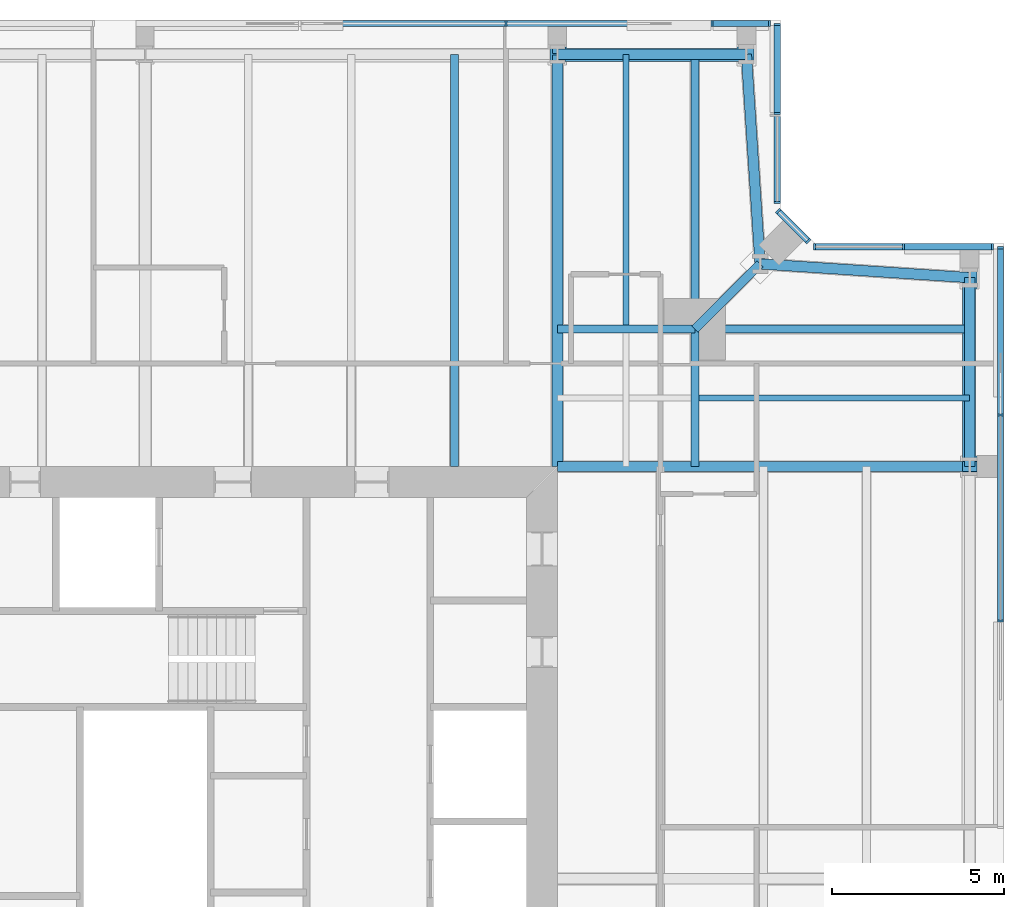
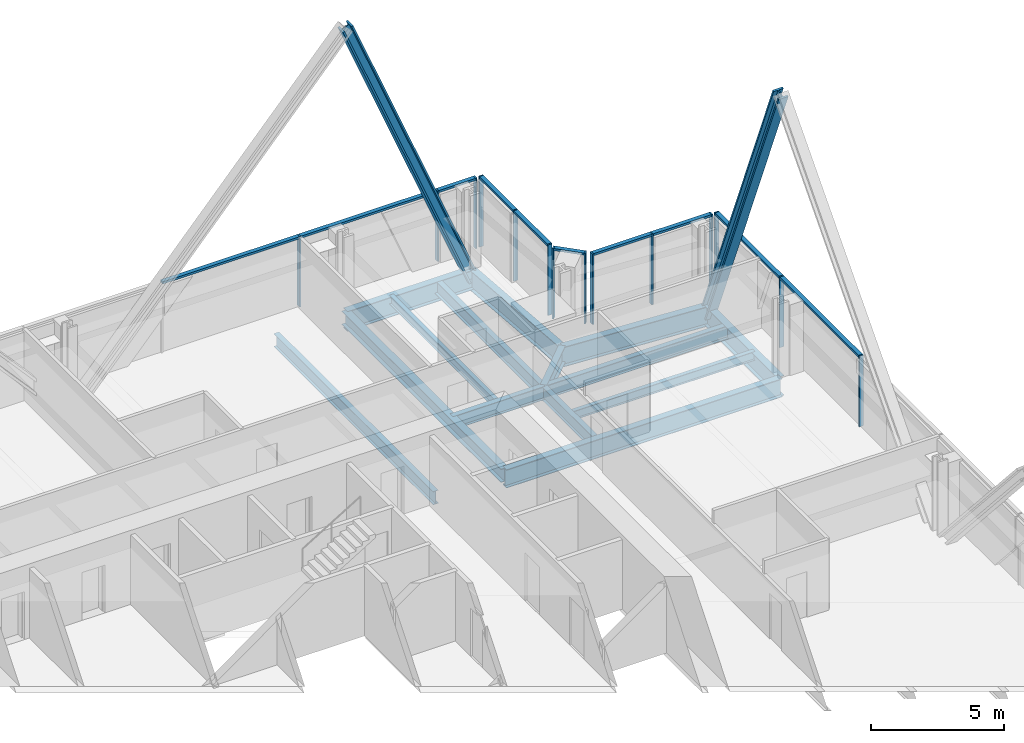
# One storey, part 9 of 19: 26 members, 14 beams, 5 elements without a shape of their own.
"""IFC4 building model written with IfcOpenShell, lengths in metres."""

from ifc_helpers import new_model, si_unit, direction, frame, origin, origin_2d, place, context, subcontext, project, spatial, rectangle, i_section, extrude, material, material_profile, profile_set, type_object, element, aggregate, save


model = new_model("IFC4")

# Units and contexts
model_context = context("Model", 3, precision=1e-05, world=origin(), true_north=direction((0.0, 1.0)))
body_context = subcontext(model_context, "Body", "Model", "MODEL_VIEW")
ifc_project = project(units=[si_unit("LENGTHUNIT", "METRE"), si_unit("AREAUNIT", "SQUARE_METRE"), si_unit("VOLUMEUNIT", "CUBIC_METRE"), si_unit("PLANEANGLEUNIT", "RADIAN"), si_unit("MASSUNIT", "GRAM", prefix="KILO")], contexts=[model_context])

# Site, building, storey
site_placement = place(None, origin())
site = spatial("IfcSite", under=ifc_project, at=site_placement, CompositionType="ELEMENT")
building_placement = place(site_placement, origin())
building = spatial("IfcBuilding", under=site, at=building_placement, Name="Fenwick Lantern Interchange", CompositionType="ELEMENT")
storey_placement = place(building_placement, frame((0.0, 0.0, 283.199951171875)))
storey = spatial("IfcBuildingStorey", under=building, at=storey_placement, Name="L68", CompositionType="ELEMENT", Elevation=283.199951171875)

# Beams
ifc_material_1 = material(Name="Steel ASTM A992 Grade 50", Category="steel")
ifc_material_profile_1 = material_profile(ifc_material_1, i_section(OverallWidth=0.3046875, OverallDepth=0.911865234375, WebThickness=0.015869140625, FlangeThickness=0.02392578125, at=origin_2d()), Name="W36X150")
ifc_profile_set_1 = profile_set([ifc_material_profile_1], Name="Steel ASTM A992 Grade 50")
beam_type_1 = type_object("IfcBeamType", Name="EDGE BEAM W36X150", PredefinedType="SPANDREL", material=ifc_profile_set_1)
beam_1_placement = place(storey_placement, frame((49.0, 37.0, -0.60595703125), z_axis=(0.0, 1.0, 0.0), x_axis=(-1.0, 0.0, 0.0)))
element("IfcBeam", 1, at=beam_1_placement, inside=storey, type_object=beam_type_1, Name="L68/FR/E/EB4", PredefinedType="SPANDREL", context=body_context, shape_type="SweptSolid", body=[
    extrude(i_section(OverallWidth=0.3046875, OverallDepth=0.911865234375, WebThickness=0.015869140625, FlangeThickness=0.02392578125, at=origin_2d()), origin(), (0.0, 0.0, 1.0), 5.5),
])
for number, where, z_axis, x_axis, name in (
    (2, (49.0, 42.5, -0.60595703125), (-0.997858060337, 0.065416293237, 0.0), (-0.065416293237, -0.997858060337, 0.0), "L68/FR/E/EBR1"),
    (3, (42.89990234375, 42.89990234375, -0.60595703125), (-0.065416293237, 0.997858060337, 0.0), (-0.997858060337, -0.065416293237, 0.0), "L68/FR/E/EBR2"),
):
    element("IfcBeam", number, at=place(storey_placement, frame(where, z_axis=z_axis, x_axis=x_axis)), inside=storey, type_object=beam_type_1, Name=name, PredefinedType="SPANDREL", context=body_context, shape_type="SweptSolid", body=[
        extrude(i_section(OverallWidth=0.3046875, OverallDepth=0.911865234375, WebThickness=0.015869140625, FlangeThickness=0.02392578125, at=origin_2d()), origin(), (0.0, 0.0, 1.0), 6.11328125),
    ])
beam_2_placement = place(storey_placement, frame((42.5, 49.0, -0.60595703125), z_axis=(-1.0, 0.0, 0.0), x_axis=(0.0, -1.0, 0.0)))
element("IfcBeam", 4, at=beam_2_placement, inside=storey, type_object=beam_type_1, Name="L68/FR/N/EB1", PredefinedType="SPANDREL", context=body_context, shape_type="SweptSolid", body=[
    extrude(i_section(OverallWidth=0.3046875, OverallDepth=0.911865234375, WebThickness=0.015869140625, FlangeThickness=0.02392578125, at=origin_2d()), origin(), (0.0, 0.0, 1.0), 5.5),
])

# Members
ifc_material_profile_2 = material_profile(ifc_material_1, i_section(OverallWidth=0.424072265625, OverallDepth=0.47509765625, WebThickness=0.0478515625, FlangeThickness=0.0771484375, at=origin_2d()), Name="W14X426")
ifc_profile_set_2 = profile_set([ifc_material_profile_2], Name="Steel ASTM A992 Grade 50")
member_type_1 = type_object("IfcMemberType", Name="FACADE BRACE W14X426", PredefinedType="BRACE", material=ifc_profile_set_2)
for number, where, z_axis, x_axis, name in (
    (5, (49.0, 42.5, -0.60595703125), (0.0, -0.377648302155, 0.925949113008), (1.0, 0.0, 0.0), "L68/FB/E/BE"),
    (6, (42.5, 49.0, -0.60595703125), (-0.377648302155, 0.0, 0.925949113008), (0.0, -1.0, 0.0), "L68/FB/N/AE"),
):
    element("IfcMember", number, at=place(storey_placement, frame(where, z_axis=z_axis, x_axis=x_axis)), inside=storey, type_object=member_type_1, Name=name, PredefinedType="BRACE", context=body_context, shape_type="SweptSolid", body=[
        extrude(i_section(OverallWidth=0.424072265625, OverallDepth=0.47509765625, WebThickness=0.0478515625, FlangeThickness=0.0771484375, at=origin_2d()), origin(), (0.0, 0.0, 1.0), 14.563720703125),
    ])

# Beam
ifc_material_profile_3 = material_profile(ifc_material_1, i_section(OverallWidth=0.22900390625, OverallDepth=0.612060546875, WebThickness=0.011962890625, FlangeThickness=0.01953125, at=origin_2d()), Name="W24X84")
ifc_profile_set_3 = profile_set([ifc_material_profile_3], Name="Steel ASTM A992 Grade 50")
beam_type_2 = type_object("IfcBeamType", Name="FLOOR BEAM W24X84", PredefinedType="BEAM", material=ifc_profile_set_3)
beam_3_placement = place(storey_placement, frame((34.0, 49.0, -0.4560546875), z_axis=(0.0, -1.0, 0.0), x_axis=(1.0, 0.0, 0.0)))
element("IfcBeam", 7, at=beam_3_placement, inside=storey, type_object=beam_type_2, Name="L68/FR/N/R02", PredefinedType="BEAM", context=body_context, shape_type="SweptSolid", body=[
    extrude(i_section(OverallWidth=0.22900390625, OverallDepth=0.612060546875, WebThickness=0.011962890625, FlangeThickness=0.01953125, at=origin_2d()), origin(), (0.0, 0.0, 1.0), 12.0),
])

# Curtain wall, members
ifc_material_2 = material(Name="Aluminium curtain wall frame", Category="aluminium")
curtain_wall_type = type_object("IfcCurtainWallType", Name="HOTEL CURTAIN WALL", PredefinedType="USERDEFINED", material=ifc_material_2)
curtain_wall_1_placement = place(storey_placement, origin())
curtain_wall_1 = element("IfcCurtainWall", 8, at=curtain_wall_1_placement, inside=storey, type_object=curtain_wall_type, Name="Hotel curtain wall 05", ObjectType="HOTEL CURTAIN WALL", PredefinedType="USERDEFINED")
ifc_material_3 = material(Name="Aluminium extrusion", Category="aluminium")
ifc_material_profile_4 = material_profile(ifc_material_3, rectangle(XDim=0.179931640625, YDim=0.06005859375, at=origin_2d()), Name="HOTEL CURTAIN WALL MULLION 60 X 180")
ifc_profile_set_4 = profile_set([ifc_material_profile_4], Name="Aluminium extrusion")
member_type_2 = type_object("IfcMemberType", Name="HOTEL CURTAIN WALL MULLION 60 X 180", PredefinedType="MULLION", material=ifc_profile_set_4)
member_1_placement = place(storey_placement, frame((49.89990234375, 32.5, 0.0), z_axis=(0.0, 0.0, 1.0), x_axis=(-1.0, 0.0, 0.0)))
member_1 = element("IfcMember", 9, at=member_1_placement, type_object=member_type_2, Name="L68/CW/05/M05", PredefinedType="MULLION", context=body_context, shape_type="SweptSolid", body=[
    extrude(rectangle(XDim=0.179931640625, YDim=0.06005859375, at=origin_2d()), origin(), (0.0, 0.0, 1.0), 3.25),
])
member_2_placement = place(storey_placement, frame((49.89990234375, 38.5, 0.0), z_axis=(0.0, 0.0, 1.0), x_axis=(-1.0, 0.0, 0.0)))
member_2 = element("IfcMember", 10, at=member_2_placement, type_object=member_type_2, Name="L68/CW/05/M06", PredefinedType="MULLION", context=body_context, shape_type="SweptSolid", body=[
    extrude(rectangle(XDim=0.179931640625, YDim=0.06005859375, at=origin_2d()), origin(), (0.0, 0.0, 1.0), 3.25),
])
member_3_placement = place(storey_placement, frame((49.89990234375, 43.3701171875, 0.0), z_axis=(0.0, 0.0, 1.0), x_axis=(-1.0, 0.0, 0.0)))
member_3 = element("IfcMember", 11, at=member_3_placement, type_object=member_type_2, Name="L68/CW/05/M07", PredefinedType="MULLION", context=body_context, shape_type="SweptSolid", body=[
    extrude(rectangle(XDim=0.179931640625, YDim=0.06005859375, at=origin_2d()), origin(), (0.0, 0.0, 1.0), 3.25),
])

curtain_wall_2_placement = place(storey_placement, origin())
curtain_wall_2 = element("IfcCurtainWall", 12, at=curtain_wall_2_placement, inside=storey, type_object=curtain_wall_type, Name="Hotel curtain wall 06", ObjectType="HOTEL CURTAIN WALL", PredefinedType="USERDEFINED")
member_4_placement = place(storey_placement, frame((49.669921875, 43.39990234375, 0.0), z_axis=(0.0, 0.0, 1.0), x_axis=(0.0, -1.0, 0.0)))
member_4 = element("IfcMember", 13, at=member_4_placement, type_object=member_type_2, Name="L68/CW/06/M00", PredefinedType="MULLION", context=body_context, shape_type="SweptSolid", body=[
    extrude(rectangle(XDim=0.179931640625, YDim=0.06005859375, at=origin_2d()), origin(), (0.0, 0.0, 1.0), 3.25),
])
member_5_placement = place(storey_placement, frame((47.079345703125, 43.39990234375, 0.0), z_axis=(0.0, 0.0, 1.0), x_axis=(0.0, -1.0, 0.0)))
member_5 = element("IfcMember", 14, at=member_5_placement, type_object=member_type_2, Name="L68/CW/06/M01", PredefinedType="MULLION", context=body_context, shape_type="SweptSolid", body=[
    extrude(rectangle(XDim=0.179931640625, YDim=0.06005859375, at=origin_2d()), origin(), (0.0, 0.0, 1.0), 3.25),
])
member_6_placement = place(storey_placement, frame((44.488525390625, 43.39990234375, 0.0), z_axis=(0.0, 0.0, 1.0), x_axis=(0.0, -1.0, 0.0)))
member_6 = element("IfcMember", 15, at=member_6_placement, type_object=member_type_2, Name="L68/CW/06/M02", PredefinedType="MULLION", context=body_context, shape_type="SweptSolid", body=[
    extrude(rectangle(XDim=0.179931640625, YDim=0.06005859375, at=origin_2d()), origin(), (0.0, 0.0, 1.0), 3.25),
])

curtain_wall_3_placement = place(storey_placement, origin())
curtain_wall_3 = element("IfcCurtainWall", 16, at=curtain_wall_3_placement, inside=storey, type_object=curtain_wall_type, Name="Hotel curtain wall 07", ObjectType="HOTEL CURTAIN WALL", PredefinedType="USERDEFINED")
member_7_placement = place(storey_placement, frame((44.2958984375, 43.562744140625, 0.0), z_axis=(0.0, 0.0, 1.0), x_axis=(-0.707106781187, -0.707106781187, 0.0)))
member_7 = element("IfcMember", 17, at=member_7_placement, type_object=member_type_2, Name="L68/CW/07/M00", PredefinedType="MULLION", context=body_context, shape_type="SweptSolid", body=[
    extrude(rectangle(XDim=0.179931640625, YDim=0.06005859375, at=origin_2d()), origin(), (0.0, 0.0, 1.0), 3.25),
])
member_8_placement = place(storey_placement, frame((43.421142578125, 44.437255859375, 0.0), z_axis=(0.0, 0.0, 1.0), x_axis=(-0.707106781187, -0.707106781187, 0.0)))
member_8 = element("IfcMember", 18, at=member_8_placement, type_object=member_type_2, Name="L68/CW/07/M01", PredefinedType="MULLION", context=body_context, shape_type="SweptSolid", body=[
    extrude(rectangle(XDim=0.179931640625, YDim=0.06005859375, at=origin_2d()), origin(), (0.0, 0.0, 1.0), 3.25),
])

curtain_wall_4_placement = place(storey_placement, origin())
curtain_wall_4 = element("IfcCurtainWall", 19, at=curtain_wall_4_placement, inside=storey, type_object=curtain_wall_type, Name="Hotel curtain wall 08", ObjectType="HOTEL CURTAIN WALL", PredefinedType="USERDEFINED")
member_9_placement = place(storey_placement, frame((43.39990234375, 44.6884765625, 0.0), z_axis=(0.0, 0.0, 1.0), x_axis=(-1.0, 0.0, 0.0)))
member_9 = element("IfcMember", 20, at=member_9_placement, type_object=member_type_2, Name="L68/CW/08/M00", PredefinedType="MULLION", context=body_context, shape_type="SweptSolid", body=[
    extrude(rectangle(XDim=0.179931640625, YDim=0.06005859375, at=origin_2d()), origin(), (0.0, 0.0, 1.0), 3.25),
])
member_10_placement = place(storey_placement, frame((43.39990234375, 47.279296875, 0.0), z_axis=(0.0, 0.0, 1.0), x_axis=(-1.0, 0.0, 0.0)))
member_10 = element("IfcMember", 21, at=member_10_placement, type_object=member_type_2, Name="L68/CW/08/M01", PredefinedType="MULLION", context=body_context, shape_type="SweptSolid", body=[
    extrude(rectangle(XDim=0.179931640625, YDim=0.06005859375, at=origin_2d()), origin(), (0.0, 0.0, 1.0), 3.25),
])
member_11_placement = place(storey_placement, frame((43.39990234375, 49.8701171875, 0.0), z_axis=(0.0, 0.0, 1.0), x_axis=(-1.0, 0.0, 0.0)))
member_11 = element("IfcMember", 22, at=member_11_placement, type_object=member_type_2, Name="L68/CW/08/M02", PredefinedType="MULLION", context=body_context, shape_type="SweptSolid", body=[
    extrude(rectangle(XDim=0.179931640625, YDim=0.06005859375, at=origin_2d()), origin(), (0.0, 0.0, 1.0), 3.25),
])

curtain_wall_5_placement = place(storey_placement, origin())
curtain_wall_5 = element("IfcCurtainWall", 23, at=curtain_wall_5_placement, inside=storey, type_object=curtain_wall_type, Name="Hotel curtain wall 09", ObjectType="HOTEL CURTAIN WALL", PredefinedType="USERDEFINED")
member_12_placement = place(storey_placement, frame((43.169921875, 49.89990234375, 0.0), z_axis=(0.0, 0.0, 1.0), x_axis=(0.0, -1.0, 0.0)))
member_12 = element("IfcMember", 24, at=member_12_placement, type_object=member_type_2, Name="L68/CW/09/M00", PredefinedType="MULLION", context=body_context, shape_type="SweptSolid", body=[
    extrude(rectangle(XDim=0.179931640625, YDim=0.06005859375, at=origin_2d()), origin(), (0.0, 0.0, 1.0), 3.25),
])
member_13_placement = place(storey_placement, frame((41.5, 49.89990234375, 0.0), z_axis=(0.0, 0.0, 1.0), x_axis=(0.0, -1.0, 0.0)))
member_13 = element("IfcMember", 25, at=member_13_placement, type_object=member_type_2, Name="L68/CW/09/M01", PredefinedType="MULLION", context=body_context, shape_type="SweptSolid", body=[
    extrude(rectangle(XDim=0.179931640625, YDim=0.06005859375, at=origin_2d()), origin(), (0.0, 0.0, 1.0), 3.25),
])
member_14_placement = place(storey_placement, frame((35.5, 49.89990234375, 0.0), z_axis=(0.0, 0.0, 1.0), x_axis=(0.0, -1.0, 0.0)))
member_14 = element("IfcMember", 26, at=member_14_placement, type_object=member_type_2, Name="L68/CW/09/M02", PredefinedType="MULLION", context=body_context, shape_type="SweptSolid", body=[
    extrude(rectangle(XDim=0.179931640625, YDim=0.06005859375, at=origin_2d()), origin(), (0.0, 0.0, 1.0), 3.25),
])

# Member
ifc_material_profile_5 = material_profile(ifc_material_3, rectangle(XDim=0.179931640625, YDim=0.10009765625, at=origin_2d()), Name="HOTEL CURTAIN WALL TRANSOM 100 X 180")
ifc_profile_set_5 = profile_set([ifc_material_profile_5], Name="Aluminium extrusion")
member_type_3 = type_object("IfcMemberType", Name="HOTEL CURTAIN WALL TRANSOM 100 X 180", PredefinedType="MULLION", material=ifc_profile_set_5)
member_15_placement = place(storey_placement, frame((49.89990234375, 32.530029296875, 3.199951171875), z_axis=(0.0, 1.0, 0.0), x_axis=(-1.0, 0.0, 0.0)))
member_15 = element("IfcMember", 27, at=member_15_placement, type_object=member_type_3, Name="L68/CW/05/T05", PredefinedType="MULLION", context=body_context, shape_type="SweptSolid", body=[
    extrude(rectangle(XDim=0.179931640625, YDim=0.10009765625, at=origin_2d()), origin(), (0.0, 0.0, 1.0), 5.93994140625),
])

member_16_placement = place(storey_placement, frame((49.89990234375, 38.530029296875, 3.199951171875), z_axis=(0.0, 1.0, 0.0), x_axis=(-1.0, 0.0, 0.0)))
member_16 = element("IfcMember", 28, at=member_16_placement, type_object=member_type_3, Name="L68/CW/05/T06", PredefinedType="MULLION", context=body_context, shape_type="SweptSolid", body=[
    extrude(rectangle(XDim=0.179931640625, YDim=0.10009765625, at=origin_2d()), origin(), (0.0, 0.0, 1.0), 4.81005859375),
])

aggregate(curtain_wall_1, [member_1, member_2, member_3, member_15, member_16])

member_17_placement = place(storey_placement, frame((49.639892578125, 43.39990234375, 3.199951171875), z_axis=(-1.0, 0.0, 0.0), x_axis=(0.0, -1.0, 0.0)))
member_17 = element("IfcMember", 29, at=member_17_placement, type_object=member_type_3, Name="L68/CW/06/T00", PredefinedType="MULLION", context=body_context, shape_type="SweptSolid", body=[
    extrude(rectangle(XDim=0.179931640625, YDim=0.10009765625, at=origin_2d()), origin(), (0.0, 0.0, 1.0), 2.530517578125),
])

member_18_placement = place(storey_placement, frame((47.04931640625, 43.39990234375, 3.199951171875), z_axis=(-1.0, 0.0, 0.0), x_axis=(0.0, -1.0, 0.0)))
member_18 = element("IfcMember", 30, at=member_18_placement, type_object=member_type_3, Name="L68/CW/06/T01", PredefinedType="MULLION", context=body_context, shape_type="SweptSolid", body=[
    extrude(rectangle(XDim=0.179931640625, YDim=0.10009765625, at=origin_2d()), origin(), (0.0, 0.0, 1.0), 2.53076171875),
])

aggregate(curtain_wall_2, [member_4, member_5, member_6, member_17, member_18])

member_19_placement = place(storey_placement, frame((44.274658203125, 43.583740234375, 3.199951171875), z_axis=(-0.707003077033, 0.707210470133, 0.0), x_axis=(-0.707210470133, -0.707003077033, 0.0)))
member_19 = element("IfcMember", 31, at=member_19_placement, type_object=member_type_3, Name="L68/CW/07/T00", PredefinedType="MULLION", context=body_context, shape_type="SweptSolid", body=[
    extrude(rectangle(XDim=0.179931640625, YDim=0.10009765625, at=origin_2d()), origin(), (0.0, 0.0, 1.0), 1.17724609375),
])

aggregate(curtain_wall_3, [member_7, member_8, member_19])

member_20_placement = place(storey_placement, frame((43.39990234375, 44.718505859375, 3.199951171875), z_axis=(0.0, 1.0, 0.0), x_axis=(-1.0, 0.0, 0.0)))
member_20 = element("IfcMember", 32, at=member_20_placement, type_object=member_type_3, Name="L68/CW/08/T00", PredefinedType="MULLION", context=body_context, shape_type="SweptSolid", body=[
    extrude(rectangle(XDim=0.179931640625, YDim=0.10009765625, at=origin_2d()), origin(), (0.0, 0.0, 1.0), 2.53076171875),
])

member_21_placement = place(storey_placement, frame((43.39990234375, 47.309326171875, 3.199951171875), z_axis=(0.0, 1.0, 0.0), x_axis=(-1.0, 0.0, 0.0)))
member_21 = element("IfcMember", 33, at=member_21_placement, type_object=member_type_3, Name="L68/CW/08/T01", PredefinedType="MULLION", context=body_context, shape_type="SweptSolid", body=[
    extrude(rectangle(XDim=0.179931640625, YDim=0.10009765625, at=origin_2d()), origin(), (0.0, 0.0, 1.0), 2.53076171875),
])

aggregate(curtain_wall_4, [member_9, member_10, member_11, member_20, member_21])

member_22_placement = place(storey_placement, frame((43.139892578125, 49.89990234375, 3.199951171875), z_axis=(-1.0, 0.0, 0.0), x_axis=(0.0, -1.0, 0.0)))
member_22 = element("IfcMember", 34, at=member_22_placement, type_object=member_type_3, Name="L68/CW/09/T00", PredefinedType="MULLION", context=body_context, shape_type="SweptSolid", body=[
    extrude(rectangle(XDim=0.179931640625, YDim=0.10009765625, at=origin_2d()), origin(), (0.0, 0.0, 1.0), 1.60986328125),
])

member_23_placement = place(storey_placement, frame((41.469970703125, 49.89990234375, 3.199951171875), z_axis=(-1.0, 0.0, 0.0), x_axis=(0.0, -1.0, 0.0)))
member_23 = element("IfcMember", 35, at=member_23_placement, type_object=member_type_3, Name="L68/CW/09/T01", PredefinedType="MULLION", context=body_context, shape_type="SweptSolid", body=[
    extrude(rectangle(XDim=0.179931640625, YDim=0.10009765625, at=origin_2d()), origin(), (0.0, 0.0, 1.0), 5.93994140625),
])

member_24_placement = place(storey_placement, frame((35.469970703125, 49.89990234375, 3.199951171875), z_axis=(-1.0, 0.0, 0.0), x_axis=(0.0, -1.0, 0.0)))
member_24 = element("IfcMember", 36, at=member_24_placement, type_object=member_type_3, Name="L68/CW/09/T02", PredefinedType="MULLION", context=body_context, shape_type="SweptSolid", body=[
    extrude(rectangle(XDim=0.179931640625, YDim=0.10009765625, at=origin_2d()), origin(), (0.0, 0.0, 1.0), 5.93994140625),
])

aggregate(curtain_wall_5, [member_12, member_13, member_14, member_22, member_23, member_24])

# Beams
ifc_material_profile_6 = material_profile(ifc_material_1, i_section(OverallWidth=0.177734375, OverallDepth=0.406494140625, WebThickness=0.0078125, FlangeThickness=0.012939453125, at=origin_2d()), Name="W16X40")
ifc_profile_set_6 = profile_set([ifc_material_profile_6], Name="Steel ASTM A992 Grade 50")
beam_type_3 = type_object("IfcBeamType", Name="INFILL BEAM W16X40", PredefinedType="JOIST", material=ifc_profile_set_6)
for number, where, z_axis, x_axis, name in (
    (37, (39.0, 49.0, -0.353271484375), (0.0, -1.0, 0.0), (1.0, 0.0, 0.0), "L68/FR/N/J1"),
    (38, (49.0, 39.0, -0.353271484375), (-1.0, 0.0, 0.0), (0.0, -1.0, 0.0), "L68/FR/N/J3"),
):
    element("IfcBeam", number, at=place(storey_placement, frame(where, z_axis=z_axis, x_axis=x_axis)), inside=storey, type_object=beam_type_3, Name=name, PredefinedType="JOIST", context=body_context, shape_type="SweptSolid", body=[
        extrude(i_section(OverallWidth=0.177734375, OverallDepth=0.406494140625, WebThickness=0.0078125, FlangeThickness=0.012939453125, at=origin_2d()), origin(), (0.0, 0.0, 1.0), 7.885498046875),
    ])
ifc_material_profile_7 = material_profile(ifc_material_1, i_section(OverallWidth=0.22900390625, OverallDepth=0.612060546875, WebThickness=0.011962890625, FlangeThickness=0.01953125, at=origin_2d()), Name="W24X84")
ifc_profile_set_7 = profile_set([ifc_material_profile_7], Name="Steel ASTM A992 Grade 50")
beam_type_4 = type_object("IfcBeamType", Name="MEGA COLUMN BEAM W24X84", PredefinedType="BEAM", material=ifc_profile_set_7)
for number, where, z_axis, x_axis, name in (
    (39, (41.0, 41.0, -0.4560546875), (0.0, 1.0, 0.0), (-1.0, 0.0, 0.0), "L68/FR/N/MB1"),
    (40, (41.0, 41.0, -0.4560546875), (1.0, 0.0, 0.0), (0.0, 1.0, 0.0), "L68/FR/N/MB2"),
):
    element("IfcBeam", number, at=place(storey_placement, frame(where, z_axis=z_axis, x_axis=x_axis)), inside=storey, type_object=beam_type_4, Name=name, PredefinedType="BEAM", context=body_context, shape_type="SweptSolid", body=[
        extrude(i_section(OverallWidth=0.22900390625, OverallDepth=0.612060546875, WebThickness=0.011962890625, FlangeThickness=0.01953125, at=origin_2d()), origin(), (0.0, 0.0, 1.0), 8.0),
    ])
for number, where, z_axis, x_axis, name in (
    (41, (41.0, 41.0, -0.4560546875), (-1.0, 0.0, 0.0), (0.0, -1.0, 0.0), "L68/FR/N/MB3"),
    (42, (41.0, 41.0, -0.4560546875), (0.0, -1.0, 0.0), (1.0, 0.0, 0.0), "L68/FR/N/MB4"),
):
    element("IfcBeam", number, at=place(storey_placement, frame(where, z_axis=z_axis, x_axis=x_axis)), inside=storey, type_object=beam_type_4, Name=name, PredefinedType="BEAM", context=body_context, shape_type="SweptSolid", body=[
        extrude(i_section(OverallWidth=0.22900390625, OverallDepth=0.612060546875, WebThickness=0.011962890625, FlangeThickness=0.01953125, at=origin_2d()), origin(), (0.0, 0.0, 1.0), 4.0),
    ])
ifc_material_profile_8 = material_profile(ifc_material_1, i_section(OverallWidth=0.32763671875, OverallDepth=0.622314453125, WebThickness=0.015380859375, FlangeThickness=0.0244140625, at=origin_2d()), Name="W24X131")
ifc_profile_set_8 = profile_set([ifc_material_profile_8], Name="Steel ASTM A992 Grade 50")
beam_type_5 = type_object("IfcBeamType", Name="MOMENT-CONNECTED GIRDER W24X131", PredefinedType="BEAM", material=ifc_profile_set_8)
beam_4_placement = place(storey_placement, frame((37.0, 49.0, -0.461181640625), z_axis=(0.0, -1.0, 0.0), x_axis=(1.0, 0.0, 0.0)))
element("IfcBeam", 43, at=beam_4_placement, inside=storey, type_object=beam_type_5, Name="L68/FR/N/R01", PredefinedType="BEAM", context=body_context, shape_type="SweptSolid", body=[
    extrude(i_section(OverallWidth=0.32763671875, OverallDepth=0.622314453125, WebThickness=0.015380859375, FlangeThickness=0.0244140625, at=origin_2d()), origin(), (0.0, 0.0, 1.0), 12.0),
])
ifc_material_profile_9 = material_profile(ifc_material_1, i_section(OverallWidth=0.2919921875, OverallDepth=0.845703125, WebThickness=0.015380859375, FlangeThickness=0.0244140625, at=origin_2d()), Name="W33X141")
ifc_profile_set_9 = profile_set([ifc_material_profile_9], Name="Steel ASTM A992 Grade 50")
beam_type_6 = type_object("IfcBeamType", Name="MOMENT-CONNECTED GIRDER W33X141", PredefinedType="BEAM", material=ifc_profile_set_9)
beam_5_placement = place(storey_placement, frame((49.0, 37.0, -0.57275390625), z_axis=(-1.0, 0.0, 0.0), x_axis=(0.0, -1.0, 0.0)))
element("IfcBeam", 44, at=beam_5_placement, inside=storey, type_object=beam_type_6, Name="L68/FR/E/R03", PredefinedType="BEAM", context=body_context, shape_type="SweptSolid", body=[
    extrude(i_section(OverallWidth=0.2919921875, OverallDepth=0.845703125, WebThickness=0.015380859375, FlangeThickness=0.0244140625, at=origin_2d()), origin(), (0.0, 0.0, 1.0), 12.0),
])
ifc_material_profile_10 = material_profile(ifc_material_1, i_section(OverallWidth=0.2666015625, OverallDepth=0.7568359375, WebThickness=0.013916015625, FlangeThickness=0.019287109375, at=origin_2d()), Name="W30X108")
ifc_profile_set_10 = profile_set([ifc_material_profile_10], Name="Steel ASTM A992 Grade 50")
beam_type_7 = type_object("IfcBeamType", Name="NOTCH BEAM W30X108", PredefinedType="BEAM", material=ifc_profile_set_10)
beam_6_placement = place(storey_placement, frame((41.0, 41.0, -0.5283203125), z_axis=(0.707106781187, 0.707106781187, 0.0), x_axis=(-0.707106781187, 0.707106781187, 0.0)))
element("IfcBeam", 45, at=beam_6_placement, inside=storey, type_object=beam_type_7, Name="L68/FR/N/TG", PredefinedType="BEAM", context=body_context, shape_type="SweptSolid", body=[
    extrude(i_section(OverallWidth=0.2666015625, OverallDepth=0.7568359375, WebThickness=0.013916015625, FlangeThickness=0.019287109375, at=origin_2d()), origin(), (0.0, 0.0, 1.0), 2.686767578125),
])

save(model, "model.ifc")
